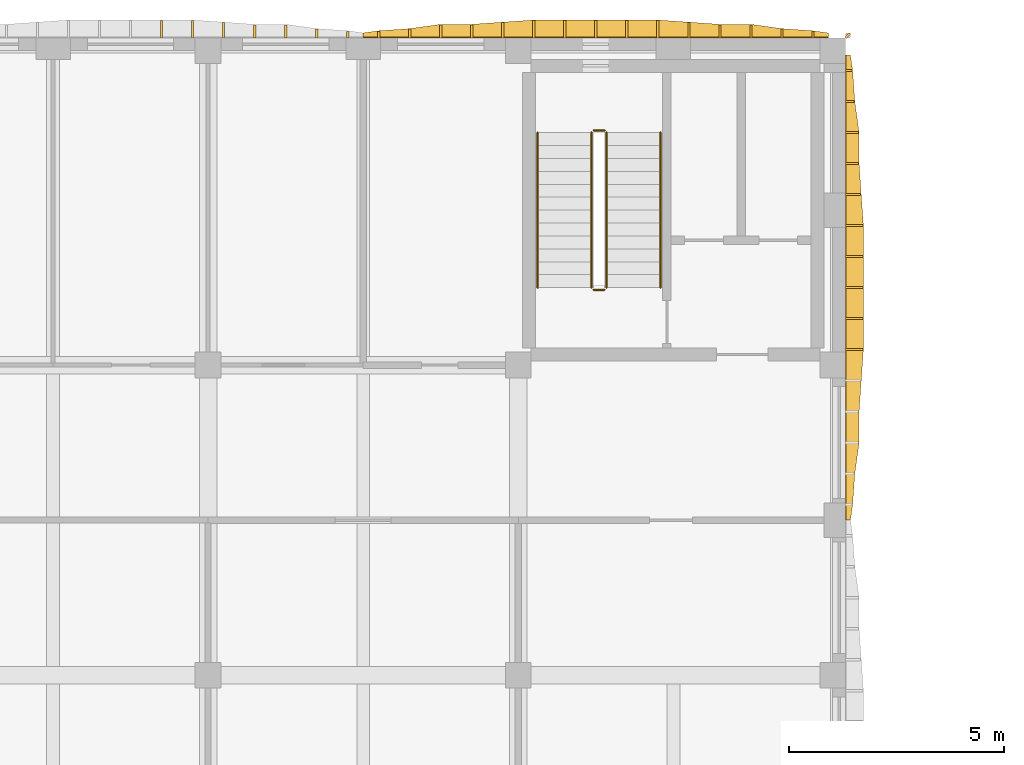
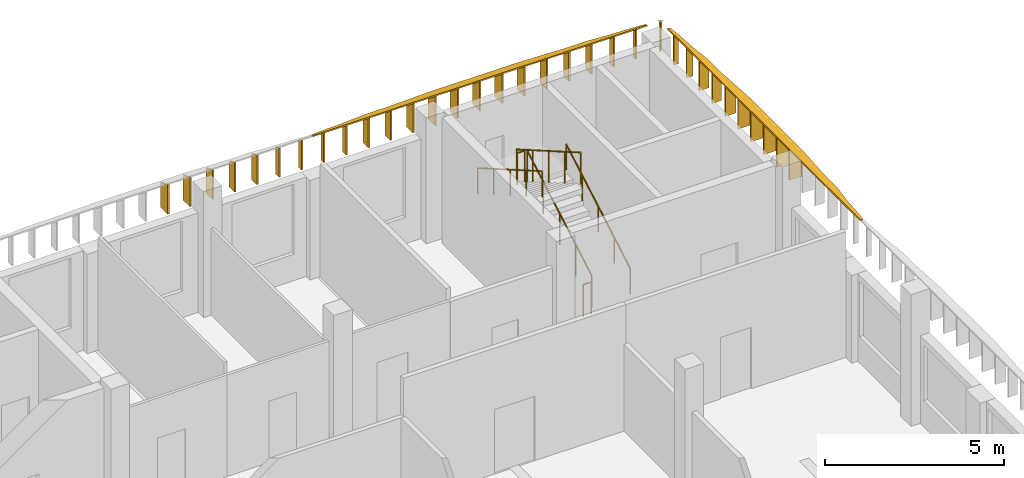
# One storey, part 34 of 38: 35 shading devices, 6 railings.
"""IFC4 building model written with IfcOpenShell, lengths in metres."""

from ifc_helpers import new_model, si_unit, direction, frame, origin, origin_2d, place, context, subcontext, project, spatial, polyline, circle, outline, extrude, material, layer, layer_set, type_object, element, save


model = new_model("IFC4")

# Units and contexts
model_context = context("Model", 3, precision=1e-05, world=origin(), true_north=direction((0.0, 1.0)))
body_context = subcontext(model_context, "Body", "Model", "MODEL_VIEW")
ifc_project = project(units=[si_unit("LENGTHUNIT", "METRE"), si_unit("AREAUNIT", "SQUARE_METRE"), si_unit("VOLUMEUNIT", "CUBIC_METRE"), si_unit("PLANEANGLEUNIT", "RADIAN"), si_unit("MASSUNIT", "GRAM", prefix="KILO")], contexts=[model_context])

# Site, building, storey
site_placement = place(None, origin())
site = spatial("IfcSite", under=ifc_project, at=site_placement, CompositionType="ELEMENT")
building_placement = place(site_placement, origin())
building = spatial("IfcBuilding", under=site, at=building_placement, Name="Ussher Court Research Institute", CompositionType="ELEMENT")
storey_placement = place(building_placement, frame((0.0, 0.0, 23.39990234375)))
storey = spatial("IfcBuildingStorey", under=building, at=storey_placement, Name="L05", CompositionType="ELEMENT", Elevation=23.39990234375)

# Shading devices
ifc_material_1 = material(Name="Bronze anodised aluminium", Category="aluminium")
ifc_layer_1 = layer(ifc_material_1, 0.050048828125)
ifc_layer_set_1 = layer_set([ifc_layer_1], Name="Bronze anodised aluminium")
shading_device_type_1 = type_object("IfcShadingDeviceType", Name="Brim blade 150 mm deep 1000 mm high canted 20 deg dry", PredefinedType="USERDEFINED", material=ifc_layer_set_1)
for number, where, z_axis, x_axis, name in (
    (1, (82.60009765625, 90.0400390625, 3.4501953125), (0.0, 0.0, 1.0), (1.0, 0.0, 0.0), "Brim blade BS16 L05"),
    (2, (71.0400390625, 90.800048828125, 3.4501953125), (0.0, 0.0, 1.0), (0.0, 1.0, 0.0), "Brim blade BS16 L05"),
    (3, (71.760009765625, 90.800048828125, 3.4501953125), (0.0, 0.0, 1.0), (0.0, 1.0, 0.0), "Brim blade BS16 L05"),
    (4, (81.840087890625, 90.800048828125, 3.4501953125), (0.0, 0.0, 1.0), (0.0, 1.0, 0.0), "Brim blade BS16 L05"),
):
    element("IfcShadingDevice", number, at=place(storey_placement, frame(where, z_axis=z_axis, x_axis=x_axis)), inside=storey, type_object=shading_device_type_1, Name=name, ObjectType="BLADE", PredefinedType="USERDEFINED", context=body_context, shape_type="SweptSolid", body=[
        extrude(outline(polyline([(0.0, 0.0), (0.14990234375, 0.0), (0.14990234375, 0.9453125), (0.0, 1.0), (0.0, 0.0)])), frame((0.0, 0.02490234375, 0.0), z_axis=(0.0, -1.0, 0.0), x_axis=(1.0, 0.0, 0.0)), (0.0, 0.0, 1.0), 0.050048828125),
    ])
ifc_material_2 = material(Name="Bronze anodised aluminium", Category="aluminium")
ifc_layer_2 = layer(ifc_material_2, 0.050048828125)
ifc_layer_set_2 = layer_set([ifc_layer_2], Name="Bronze anodised aluminium")
shading_device_type_2 = type_object("IfcShadingDeviceType", Name="Brim blade 200 mm deep 1000 mm high canted 20 deg dry", PredefinedType="USERDEFINED", material=ifc_layer_set_2)
for number, where, z_axis, x_axis, name in (
    (5, (82.60009765625, 89.320068359375, 3.4501953125), (0.0, 0.0, 1.0), (1.0, 0.0, 0.0), "Brim blade BS15 L05"),
    (6, (70.320068359375, 90.800048828125, 3.4501953125), (0.0, 0.0, 1.0), (0.0, 1.0, 0.0), "Brim blade BS15 L05"),
    (7, (72.47998046875, 90.800048828125, 3.4501953125), (0.0, 0.0, 1.0), (0.0, 1.0, 0.0), "Brim blade BS15 L05"),
    (8, (81.1201171875, 90.800048828125, 3.4501953125), (0.0, 0.0, 1.0), (0.0, 1.0, 0.0), "Brim blade BS15 L05"),
):
    element("IfcShadingDevice", number, at=place(storey_placement, frame(where, z_axis=z_axis, x_axis=x_axis)), inside=storey, type_object=shading_device_type_2, Name=name, ObjectType="BLADE", PredefinedType="USERDEFINED", context=body_context, shape_type="SweptSolid", body=[
        extrude(outline(polyline([(0.0, 0.0), (0.199951171875, 0.0), (0.199951171875, 0.927001953125), (0.0, 1.0), (0.0, 0.0)])), frame((0.0, 0.02490234375, 0.0), z_axis=(0.0, -1.0, 0.0), x_axis=(1.0, 0.0, 0.0)), (0.0, 0.0, 1.0), 0.050048828125),
    ])
ifc_material_3 = material(Name="Bronze anodised aluminium", Category="aluminium")
ifc_layer_3 = layer(ifc_material_3, 0.050048828125)
ifc_layer_set_3 = layer_set([ifc_layer_3], Name="Bronze anodised aluminium")
shading_device_type_3 = type_object("IfcShadingDeviceType", Name="Brim blade 300 mm deep 1000 mm high canted 20 deg dry", PredefinedType="USERDEFINED", material=ifc_layer_set_3)
for number, where, z_axis, x_axis, name in (
    (9, (82.60009765625, 88.60009765625, 3.4501953125), (0.0, 0.0, 1.0), (1.0, 0.0, 0.0), "Brim blade BS13 L05"),
    (10, (82.60009765625, 87.8798828125, 3.4501953125), (0.0, 0.0, 1.0), (1.0, 0.0, 0.0), "Brim blade BS13 L05"),
):
    element("IfcShadingDevice", number, at=place(storey_placement, frame(where, z_axis=z_axis, x_axis=x_axis)), inside=storey, type_object=shading_device_type_3, Name=name, ObjectType="BLADE", PredefinedType="USERDEFINED", context=body_context, shape_type="SweptSolid", body=[
        extrude(outline(polyline([(0.0, 0.0), (0.2998046875, 0.0), (0.300048828125, 0.890625), (0.0, 1.0), (0.0, 0.0)])), frame((0.0, 0.02490234375, 0.0), z_axis=(0.0, -1.0, 0.0), x_axis=(1.0, 0.0, 0.0)), (0.0, 0.0, 1.0), 0.050048828125),
    ])
for number, where, z_axis, x_axis, name in (
    (11, (68.8798828125, 90.800048828125, 3.4501953125), (0.0, 0.0, 1.0), (0.0, 1.0, 0.0), "Brim blade BS13 L05"),
    (12, (69.60009765625, 90.800048828125, 3.4501953125), (0.0, 0.0, 1.0), (0.0, 1.0, 0.0), "Brim blade BS13 L05"),
    (13, (73.199951171875, 90.800048828125, 3.4501953125), (0.0, 0.0, 1.0), (0.0, 1.0, 0.0), "Brim blade BS13 L05"),
    (14, (73.919921875, 90.800048828125, 3.4501953125), (0.0, 0.0, 1.0), (0.0, 1.0, 0.0), "Brim blade BS13 L05"),
    (15, (79.679931640625, 90.800048828125, 3.4501953125), (0.0, 0.0, 1.0), (0.0, 1.0, 0.0), "Brim blade BS13 L05"),
    (16, (80.39990234375, 90.800048828125, 3.4501953125), (0.0, 0.0, 1.0), (0.0, 1.0, 0.0), "Brim blade BS13 L05"),
):
    element("IfcShadingDevice", number, at=place(storey_placement, frame(where, z_axis=z_axis, x_axis=x_axis)), inside=storey, type_object=shading_device_type_3, Name=name, ObjectType="BLADE", PredefinedType="USERDEFINED", context=body_context, shape_type="SweptSolid", body=[
        extrude(outline(polyline([(0.0, 0.0), (0.300048828125, 0.0), (0.300048828125, 0.890625), (0.0, 1.0), (0.0, 0.0)])), frame((0.0, 0.02490234375, 0.0), z_axis=(0.0, -1.0, 0.0), x_axis=(1.0, 0.0, 0.0)), (0.0, 0.0, 1.0), 0.050048828125),
    ])
ifc_material_4 = material(Name="Bronze anodised aluminium", Category="aluminium")
ifc_layer_4 = layer(ifc_material_4, 0.050048828125)
ifc_layer_set_4 = layer_set([ifc_layer_4], Name="Bronze anodised aluminium")
shading_device_type_4 = type_object("IfcShadingDeviceType", Name="Brim blade 350 mm deep 1000 mm high canted 20 deg dry", PredefinedType="USERDEFINED", material=ifc_layer_set_4)
for number, where, z_axis, x_axis, name in (
    (17, (82.60009765625, 87.159912109375, 3.4501953125), (0.0, 0.0, 1.0), (1.0, 0.0, 0.0), "Brim blade BS12 L05"),
    (18, (68.159912109375, 90.800048828125, 3.4501953125), (0.0, 0.0, 1.0), (0.0, 1.0, 0.0), "Brim blade BS12 L05"),
    (19, (74.639892578125, 90.800048828125, 3.4501953125), (0.0, 0.0, 1.0), (0.0, 1.0, 0.0), "Brim blade BS12 L05"),
    (20, (78.9599609375, 90.800048828125, 3.4501953125), (0.0, 0.0, 1.0), (0.0, 1.0, 0.0), "Brim blade BS12 L05"),
):
    element("IfcShadingDevice", number, at=place(storey_placement, frame(where, z_axis=z_axis, x_axis=x_axis)), inside=storey, type_object=shading_device_type_4, Name=name, ObjectType="BLADE", PredefinedType="USERDEFINED", context=body_context, shape_type="SweptSolid", body=[
        extrude(outline(polyline([(0.0, 0.0), (0.349853515625, 0.0), (0.35009765625, 0.87255859375), (0.0, 1.0), (0.0, 0.0)])), frame((0.0, 0.02490234375, 0.0), z_axis=(0.0, -1.0, 0.0), x_axis=(1.0, 0.0, 0.0)), (0.0, 0.0, 1.0), 0.050048828125),
    ])
ifc_material_5 = material(Name="Bronze anodised aluminium", Category="aluminium")
ifc_layer_5 = layer(ifc_material_5, 0.050048828125)
ifc_layer_set_5 = layer_set([ifc_layer_5], Name="Bronze anodised aluminium")
shading_device_type_5 = type_object("IfcShadingDeviceType", Name="Brim blade 400 mm deep 1000 mm high canted 20 deg dry", PredefinedType="USERDEFINED", material=ifc_layer_set_5)
for number, where, z_axis, x_axis, name in (
    (21, (82.60009765625, 86.43994140625, 3.4501953125), (0.0, 0.0, 1.0), (1.0, 0.0, 0.0), "Brim blade BS11 L05"),
    (22, (82.60009765625, 85.719970703125, 3.4501953125), (0.0, 0.0, 1.0), (1.0, 0.0, 0.0), "Brim blade BS11 L05"),
    (23, (82.60009765625, 85.0, 3.4501953125), (0.0, 0.0, 1.0), (1.0, 0.0, 0.0), "Brim blade BS11 L05"),
    (24, (82.60009765625, 84.280029296875, 3.4501953125), (0.0, 0.0, 1.0), (1.0, 0.0, 0.0), "Brim blade BS11 L05"),
    (25, (82.60009765625, 83.56005859375, 3.4501953125), (0.0, 0.0, 1.0), (1.0, 0.0, 0.0), "Brim blade BS11 L05"),
    (26, (66.719970703125, 90.800048828125, 3.4501953125), (0.0, 0.0, 1.0), (0.0, 1.0, 0.0), "Brim blade BS11 L05"),
    (27, (67.43994140625, 90.800048828125, 3.4501953125), (0.0, 0.0, 1.0), (0.0, 1.0, 0.0), "Brim blade BS11 L05"),
    (28, (75.360107421875, 90.800048828125, 3.4501953125), (0.0, 0.0, 1.0), (0.0, 1.0, 0.0), "Brim blade BS11 L05"),
    (29, (76.080078125, 90.800048828125, 3.4501953125), (0.0, 0.0, 1.0), (0.0, 1.0, 0.0), "Brim blade BS11 L05"),
    (30, (76.800048828125, 90.800048828125, 3.4501953125), (0.0, 0.0, 1.0), (0.0, 1.0, 0.0), "Brim blade BS11 L05"),
    (31, (77.52001953125, 90.800048828125, 3.4501953125), (0.0, 0.0, 1.0), (0.0, 1.0, 0.0), "Brim blade BS11 L05"),
    (32, (78.239990234375, 90.800048828125, 3.4501953125), (0.0, 0.0, 1.0), (0.0, 1.0, 0.0), "Brim blade BS11 L05"),
):
    element("IfcShadingDevice", number, at=place(storey_placement, frame(where, z_axis=z_axis, x_axis=x_axis)), inside=storey, type_object=shading_device_type_5, Name=name, ObjectType="BLADE", PredefinedType="USERDEFINED", context=body_context, shape_type="SweptSolid", body=[
        extrude(outline(polyline([(0.0, 0.0), (0.39990234375, 0.0), (0.39990234375, 0.854248046875), (0.0, 1.0), (0.0, 0.0)])), frame((0.0, 0.02490234375, 0.0), z_axis=(0.0, -1.0, 0.0), x_axis=(1.0, 0.0, 0.0)), (0.0, 0.0, 1.0), 0.050048828125),
    ])
ifc_material_6 = material(Name="Bronze anodised aluminium", Category="aluminium")
ifc_layer_6 = layer(ifc_material_6, 0.050048828125)
ifc_layer_set_6 = layer_set([ifc_layer_6], Name="Bronze anodised aluminium")
shading_device_type_6 = type_object("IfcShadingDeviceType", Name="Brim mitre blade 100 mm deep 1000 mm high canted 20 deg dry", PredefinedType="USERDEFINED", material=ifc_layer_set_6)
shading_device_1_placement = place(storey_placement, frame((82.60009765625, 90.800048828125, 3.4501953125), z_axis=(0.0, 0.0, 1.0), x_axis=(0.707106781187, 0.707106781187, 0.0)))
element("IfcShadingDevice", 33, at=shading_device_1_placement, inside=storey, type_object=shading_device_type_6, Name="Brim mitre blade BS19 L05", ObjectType="BLADE", PredefinedType="USERDEFINED", context=body_context, shape_type="SweptSolid", body=[
    extrude(outline(polyline([(0.0, 0.0), (0.14111328125, 0.0), (0.141357421875, 0.927001953125), (0.0, 1.0), (0.0, 0.0)])), frame((0.0, 0.02490234375, 0.0), z_axis=(0.0, -1.0, 0.0), x_axis=(1.0, 0.0, 0.0)), (0.0, 0.0, 1.0), 0.050048828125),
])
ifc_material_7 = material(Name="Bronze anodised aluminium", Category="aluminium")
ifc_layer_7 = layer(ifc_material_7, 0.0400390625)
ifc_layer_set_7 = layer_set([ifc_layer_7], Name="Bronze anodised aluminium")
shading_device_type_7 = type_object("IfcShadingDeviceType", Name="Brim visor sheet 40 mm canted 20 deg dry", PredefinedType="USERDEFINED", material=ifc_layer_set_7)
shading_device_2_placement = place(storey_placement, frame((82.61376953125, 90.39990234375, 4.48779296875), z_axis=(0.342477773768, 0.0, 0.939525930709), x_axis=(0.0, -1.0, 0.0)))
element("IfcShadingDevice", 34, at=shading_device_2_placement, inside=storey, type_object=shading_device_type_7, Name="Brim visor sheet BR2 L05", ObjectType="BRIM", PredefinedType="USERDEFINED", context=body_context, shape_type="SweptSolid", body=[
    extrude(outline(polyline([(0.0, 0.0), (10.7998046875, 0.0), (10.7998046875, 0.10627326512487273), (10.43994140625, 0.1595663922801408), (9.719970703125, 0.21285951943540887), (9.0, 0.3193621610082086), (8.27978515625, 0.3193621610082086), (7.559814453125, 0.37234229897781324), (6.83984375, 0.4256354261330813), (6.119873046875, 0.4256354261330813), (5.39990234375, 0.4256354261330813), (4.679931640625, 0.4256354261330813), (3.9599609375, 0.4256354261330813), (3.239990234375, 0.37234229897781324), (2.52001953125, 0.3193621610082086), (1.7998046875, 0.3193621610082086), (1.079833984375, 0.21285951943540887), (0.35986328125, 0.1595663922801408), (0.0, 0.10627326512487273), (0.0, 0.0)])), origin(), (0.0, 0.0, -1.0), 0.0400390625),
])
shading_device_3_placement = place(storey_placement, frame((71.39990234375, 90.813720703125, 4.48779296875), z_axis=(0.0, 0.342437439102, 0.939540632597), x_axis=(1.0, 0.0, 0.0)))
element("IfcShadingDevice", 35, at=shading_device_3_placement, inside=storey, type_object=shading_device_type_7, Name="Brim visor sheet BR2 L05", ObjectType="BRIM", PredefinedType="USERDEFINED", context=body_context, shape_type="SweptSolid", body=[
    extrude(outline(polyline([(0.0, 0.0), (10.800048828125, 0.0), (10.800048828125, 0.1065026459450868), (10.440185546875, 0.15956639032557793), (9.72021484375, 0.21285951474332424), (9.0, 0.319362160688411), (8.280029296875, 0.319362160688411), (7.56005859375, 0.3725716822157515), (6.840087890625, 0.42563542659624265), (6.1201171875, 0.42563542659624265), (5.400146484375, 0.42563542659624265), (4.68017578125, 0.42563542659624265), (3.960205078125, 0.42563542659624265), (3.239990234375, 0.3725716822157515), (2.52001953125, 0.319362160688411), (1.800048828125, 0.319362160688411), (1.080078125, 0.21285951474332424), (0.360107421875, 0.15956639032557793), (0.0, 0.1065026459450868), (0.0, 0.0)])), origin(), (0.0, 0.0, -1.0), 0.0400390625),
])

# Railings
ifc_material_8 = material(Name="Painted steel balustrade", Category="steel")
railing_type_1 = type_object("IfcRailingType", Name="Stair guard 1100 steel balustrade", PredefinedType="GUARDRAIL", material=ifc_material_8)
railing_1_placement = place(storey_placement, frame((77.050048828125, 85.0, 0.173095703125)))
element("IfcRailing", 36, at=railing_1_placement, inside=storey, type_object=railing_type_1, Name="L05 D3 stair guard 1", PredefinedType="GUARDRAIL", context=body_context, shape_type="SweptSolid", body=[
    extrude(circle(Radius=0.02392578125, at=origin_2d()), frame((0.0, 0.0, 1.076171875), z_axis=(0.0, 0.866193409371, 0.499708892819), x_axis=(-1.0, 0.0, 0.0)), (0.0, 0.0, 1.0), 4.15625),
    extrude(circle(Radius=0.02099609375, at=origin_2d()), origin(), (0.0, 0.0, 1.0), 1.052001953125),
    extrude(circle(Radius=0.02099609375, at=origin_2d()), frame((0.0, 0.89990234375, 0.519287109375)), (0.0, 0.0, 1.0), 1.052001953125),
    extrude(circle(Radius=0.02099609375, at=origin_2d()), frame((0.0, 1.800048828125, 1.03857421875)), (0.0, 0.0, 1.0), 1.052001953125),
    extrude(circle(Radius=0.02099609375, at=origin_2d()), frame((0.0, 2.7001953125, 1.5576171875)), (0.0, 0.0, 1.0), 1.052001953125),
    extrude(circle(Radius=0.02099609375, at=origin_2d()), frame((0.0, 3.60009765625, 2.076904296875)), (0.0, 0.0, 1.0), 1.052001953125),
])
railing_2_placement = place(storey_placement, frame((77.0, 88.64990234375, 2.25)))
element("IfcRailing", 37, at=railing_2_placement, inside=storey, type_object=railing_type_1, Name="L05 D3 stair guard 2", PredefinedType="GUARDRAIL", context=body_context, shape_type="SweptSolid", body=[
    extrude(circle(Radius=0.02392578125, at=origin_2d()), frame((0.0, 0.0, 1.076171875), z_axis=(-1.0, 0.0, 0.0), x_axis=(0.0, -1.0, 0.0)), (0.0, 0.0, 1.0), 0.25),
    extrude(circle(Radius=0.02099609375, at=origin_2d()), origin(), (0.0, 0.0, 1.0), 1.052001953125),
    extrude(circle(Radius=0.02099609375, at=origin_2d()), frame((-0.25, 0.0, 0.0)), (0.0, 0.0, 1.0), 1.052001953125),
])
railing_3_placement = place(storey_placement, frame((76.699951171875, 88.60009765625, 2.423095703125)))
element("IfcRailing", 38, at=railing_3_placement, inside=storey, type_object=railing_type_1, Name="L05 D3 stair guard 3", PredefinedType="GUARDRAIL", context=body_context, shape_type="SweptSolid", body=[
    extrude(circle(Radius=0.02392578125, at=origin_2d()), frame((0.0, 0.0, 1.076171875), z_axis=(0.0, -0.866193409371, 0.499708892819), x_axis=(1.0, 0.0, 0.0)), (0.0, 0.0, 1.0), 4.15625),
    extrude(circle(Radius=0.02099609375, at=origin_2d()), origin(), (0.0, 0.0, 1.0), 1.052001953125),
    extrude(circle(Radius=0.02099609375, at=origin_2d()), frame((0.0, -0.89990234375, 0.519287109375)), (0.0, 0.0, 1.0), 1.052001953125),
    extrude(circle(Radius=0.02099609375, at=origin_2d()), frame((0.0, -1.800048828125, 1.03857421875)), (0.0, 0.0, 1.0), 1.052001953125),
    extrude(circle(Radius=0.02099609375, at=origin_2d()), frame((0.0, -2.7001953125, 1.5576171875)), (0.0, 0.0, 1.0), 1.052001953125),
    extrude(circle(Radius=0.02099609375, at=origin_2d()), frame((0.0, -3.60009765625, 2.076904296875)), (0.0, 0.0, 1.0), 1.052001953125),
])
railing_4_placement = place(storey_placement, frame((77.0, 84.949951171875, 0.0)))
element("IfcRailing", 39, at=railing_4_placement, inside=storey, type_object=railing_type_1, Name="L05 D3 stair guard 4", PredefinedType="GUARDRAIL", context=body_context, shape_type="SweptSolid", body=[
    extrude(circle(Radius=0.02392578125, at=origin_2d()), frame((0.0, 0.0, 1.076171875), z_axis=(-1.0, 0.0, 0.0), x_axis=(0.0, -1.0, 0.0)), (0.0, 0.0, 1.0), 0.25),
    extrude(circle(Radius=0.02099609375, at=origin_2d()), origin(), (0.0, 0.0, 1.0), 1.052001953125),
    extrude(circle(Radius=0.02099609375, at=origin_2d()), frame((-0.25, 0.0, 0.0)), (0.0, 0.0, 1.0), 1.052001953125),
])
ifc_material_9 = material(Name="Painted steel handrail", Category="steel")
railing_type_2 = type_object("IfcRailingType", Name="Stair handrail 900 steel", PredefinedType="HANDRAIL", material=ifc_material_9)
railing_5_placement = place(storey_placement, frame((78.300048828125, 85.0, 0.173095703125)))
element("IfcRailing", 40, at=railing_5_placement, inside=storey, type_object=railing_type_2, Name="L05 D3 stair handrail 1", PredefinedType="HANDRAIL", context=body_context, shape_type="SweptSolid", body=[
    extrude(circle(Radius=0.02392578125, at=origin_2d()), frame((0.0, 0.0, 0.8759765625), z_axis=(0.0, 0.866193409371, 0.499708892819), x_axis=(-1.0, 0.0, 0.0)), (0.0, 0.0, 1.0), 4.15625),
    extrude(circle(Radius=0.02099609375, at=origin_2d()), origin(), (0.0, 0.0, 1.0), 0.851806640625),
    extrude(circle(Radius=0.02099609375, at=origin_2d()), frame((0.0, 0.89990234375, 0.519287109375)), (0.0, 0.0, 1.0), 0.851806640625),
    extrude(circle(Radius=0.02099609375, at=origin_2d()), frame((0.0, 1.800048828125, 1.03857421875)), (0.0, 0.0, 1.0), 0.851806640625),
    extrude(circle(Radius=0.02099609375, at=origin_2d()), frame((0.0, 2.7001953125, 1.5576171875)), (0.0, 0.0, 1.0), 0.851806640625),
    extrude(circle(Radius=0.02099609375, at=origin_2d()), frame((0.0, 3.60009765625, 2.076904296875)), (0.0, 0.0, 1.0), 0.851806640625),
])
railing_6_placement = place(storey_placement, frame((75.449951171875, 88.60009765625, 2.423095703125)))
element("IfcRailing", 41, at=railing_6_placement, inside=storey, type_object=railing_type_2, Name="L05 D3 stair handrail 2", PredefinedType="HANDRAIL", context=body_context, shape_type="SweptSolid", body=[
    extrude(circle(Radius=0.02392578125, at=origin_2d()), frame((0.0, 0.0, 0.8759765625), z_axis=(0.0, -0.866193409371, 0.499708892819), x_axis=(1.0, 0.0, 0.0)), (0.0, 0.0, 1.0), 4.15625),
    extrude(circle(Radius=0.02099609375, at=origin_2d()), origin(), (0.0, 0.0, 1.0), 0.851806640625),
    extrude(circle(Radius=0.02099609375, at=origin_2d()), frame((0.0, -0.89990234375, 0.519287109375)), (0.0, 0.0, 1.0), 0.851806640625),
    extrude(circle(Radius=0.02099609375, at=origin_2d()), frame((0.0, -1.800048828125, 1.03857421875)), (0.0, 0.0, 1.0), 0.851806640625),
    extrude(circle(Radius=0.02099609375, at=origin_2d()), frame((0.0, -2.7001953125, 1.5576171875)), (0.0, 0.0, 1.0), 0.851806640625),
    extrude(circle(Radius=0.02099609375, at=origin_2d()), frame((0.0, -3.60009765625, 2.076904296875)), (0.0, 0.0, 1.0), 0.851806640625),
])

save(model, "model.ifc")
